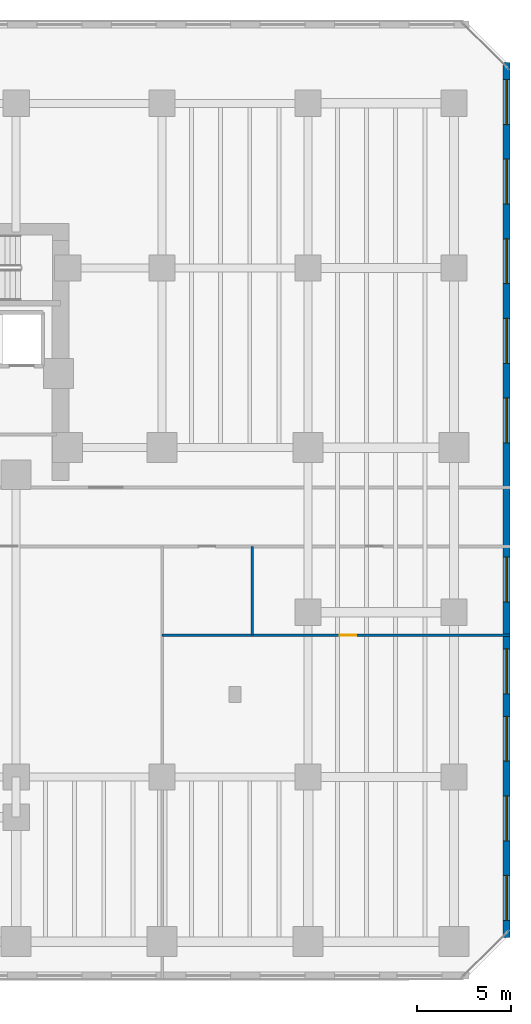
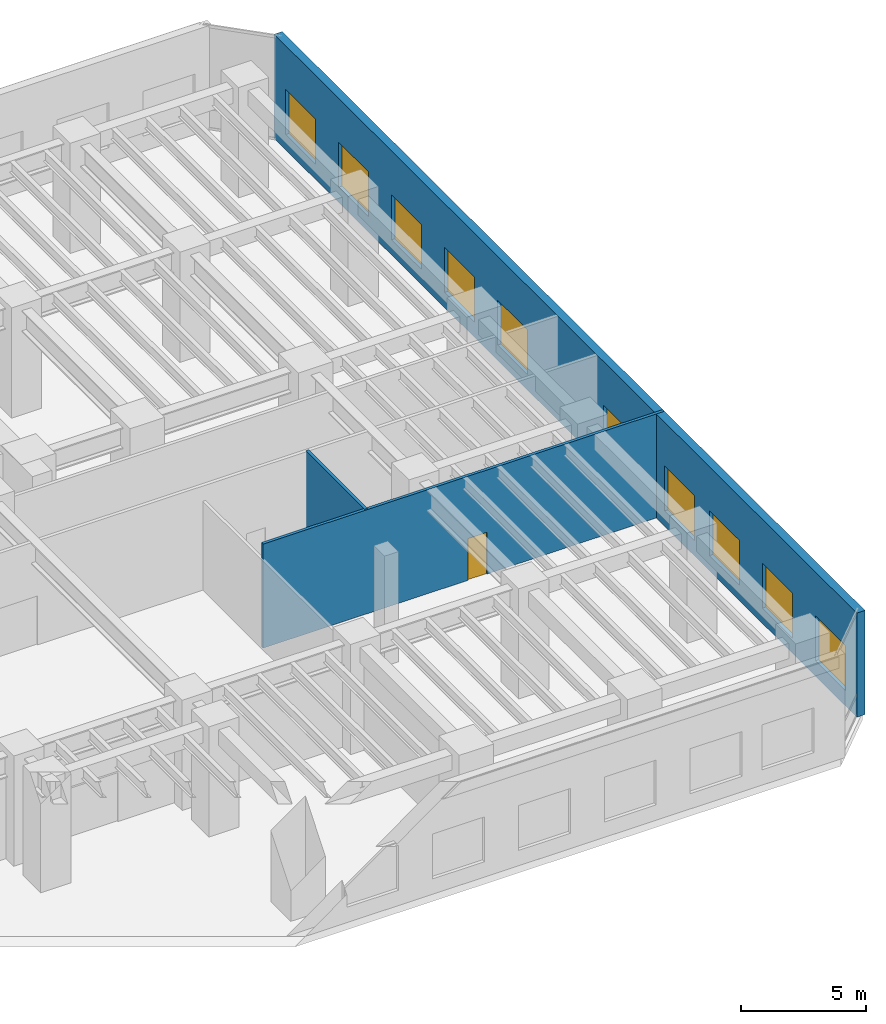
# One storey, part 16 of 21: 10 windows, 3 walls, 1 door, 11 openings.
"""IFC4 building model written with IfcOpenShell, lengths in metres."""

from ifc_helpers import new_model, si_unit, direction, frame, frame_2d, origin, place, context, subcontext, project, spatial, rectangle, extrude, material, layer, layer_set, type_object, element, fill, save


model = new_model("IFC4")

# Units and contexts
model_context = context("Model", 3, precision=1e-05, world=origin(), true_north=direction((0.0, 1.0)))
body_context = subcontext(model_context, "Body", "Model", "MODEL_VIEW")
ifc_project = project(units=[si_unit("LENGTHUNIT", "METRE"), si_unit("AREAUNIT", "SQUARE_METRE"), si_unit("VOLUMEUNIT", "CUBIC_METRE"), si_unit("PLANEANGLEUNIT", "RADIAN"), si_unit("MASSUNIT", "GRAM", prefix="KILO")], contexts=[model_context])

# Site, building, storey
site_placement = place(None, origin())
site = spatial("IfcSite", under=ifc_project, at=site_placement, CompositionType="ELEMENT")
building_placement = place(site_placement, origin())
building = spatial("IfcBuilding", under=site, at=building_placement, Name="Kestravale Grand Hotel", CompositionType="ELEMENT")
storey_placement = place(building_placement, frame((0.0, 0.0, 10.39990234375)))
storey = spatial("IfcBuildingStorey", under=building, at=storey_placement, Name="L02", CompositionType="ELEMENT", Elevation=10.39990234375)

# Wall, openings, windows
ifc_material_1 = material(Name="Precast concrete f'c 45 MPa", Category="concrete")
ifc_layer_1 = layer(ifc_material_1, 0.3798828125)
ifc_layer_set_1 = layer_set([ifc_layer_1], Name="EW-POD-380")
wall_type_1 = type_object("IfcWallType", Name="EW-POD-380", PredefinedType="SOLIDWALL", material=ifc_layer_set_1)
wall_1_placement = place(storey_placement, frame((80.81005859375, 2.610107421875, 0.0), z_axis=(0.0, 0.0, 1.0), x_axis=(0.0, 1.0, 0.0)))
wall_1 = element("IfcWall", 1, at=wall_1_placement, inside=storey, type_object=wall_type_1, Name="L02 fluted precast facade wall 3", PredefinedType="SOLIDWALL", context=body_context, shape_type="SweptSolid", body=[
    extrude(rectangle(XDim=46.77978515625, YDim=0.3798828125, at=frame_2d((23.389892578125, 0.0))), origin(), (0.0, 0.0, 1.0), 5.10009765625),
])
opening_1_placement = place(wall_1_placement, frame((0.926513671875, 0.0, 0.75)))
opening_1 = element("IfcOpeningElement", 2, at=opening_1_placement, cuts=wall_1, Name="Opening W-POD-2400", PredefinedType="OPENING", context=body_context, shape_type="SweptSolid", body=[
    extrude(rectangle(XDim=2.39990234375, YDim=2.199951171875, at=frame_2d((1.199951171875, 1.10009765625))), frame((0.0, 0.199951171875, 0.0), z_axis=(0.0, -1.0, 0.0), x_axis=(1.0, 0.0, 0.0)), (0.0, 0.0, 1.0), 0.39990234375),
])
opening_2_placement = place(wall_1_placement, frame((5.17919921875, 0.0, 0.75)))
opening_2 = element("IfcOpeningElement", 3, at=opening_2_placement, cuts=wall_1, Name="Opening W-POD-2400", PredefinedType="OPENING", context=body_context, shape_type="SweptSolid", body=[
    extrude(rectangle(XDim=2.39990234375, YDim=2.199951171875, at=frame_2d((1.199951171875, 1.10009765625))), frame((0.0, 0.199951171875, 0.0), z_axis=(0.0, -1.0, 0.0), x_axis=(1.0, 0.0, 0.0)), (0.0, 0.0, 1.0), 0.39990234375),
])
opening_3_placement = place(wall_1_placement, frame((9.431884765625, 0.0, 0.75)))
opening_3 = element("IfcOpeningElement", 4, at=opening_3_placement, cuts=wall_1, Name="Opening W-POD-2400", PredefinedType="OPENING", context=body_context, shape_type="SweptSolid", body=[
    extrude(rectangle(XDim=2.39990234375, YDim=2.199951171875, at=frame_2d((1.199951171875, 1.10009765625))), frame((0.0, 0.199951171875, 0.0), z_axis=(0.0, -1.0, 0.0), x_axis=(1.0, 0.0, 0.0)), (0.0, 0.0, 1.0), 0.39990234375),
])
opening_4_placement = place(wall_1_placement, frame((13.034423828125, 0.0, 0.75)))
opening_4 = element("IfcOpeningElement", 5, at=opening_4_placement, cuts=wall_1, Name="Opening W-POD-2400", PredefinedType="OPENING", context=body_context, shape_type="SweptSolid", body=[
    extrude(rectangle(XDim=2.39990234375, YDim=2.199951171875, at=frame_2d((1.199951171875, 1.10009765625))), frame((0.0, 0.199951171875, 0.0), z_axis=(0.0, -1.0, 0.0), x_axis=(1.0, 0.0, 0.0)), (0.0, 0.0, 1.0), 0.39990234375),
])
opening_5_placement = place(wall_1_placement, frame((17.937255859375, 0.0, 0.75)))
opening_5 = element("IfcOpeningElement", 6, at=opening_5_placement, cuts=wall_1, Name="Opening W-POD-2400", PredefinedType="OPENING", context=body_context, shape_type="SweptSolid", body=[
    extrude(rectangle(XDim=2.39990234375, YDim=2.199951171875, at=frame_2d((1.199951171875, 1.10009765625))), frame((0.0, 0.199951171875, 0.0), z_axis=(0.0, -1.0, 0.0), x_axis=(1.0, 0.0, 0.0)), (0.0, 0.0, 1.0), 0.39990234375),
])
opening_6_placement = place(wall_1_placement, frame((26.442626953125, 0.0, 0.75)))
opening_6 = element("IfcOpeningElement", 7, at=opening_6_placement, cuts=wall_1, Name="Opening W-POD-2400", PredefinedType="OPENING", context=body_context, shape_type="SweptSolid", body=[
    extrude(rectangle(XDim=2.39990234375, YDim=2.199951171875, at=frame_2d((1.199951171875, 1.10009765625))), frame((0.0, 0.199951171875, 0.0), z_axis=(0.0, -1.0, 0.0), x_axis=(1.0, 0.0, 0.0)), (0.0, 0.0, 1.0), 0.39990234375),
])
opening_7_placement = place(wall_1_placement, frame((30.695556640625, 0.0, 0.75)))
opening_7 = element("IfcOpeningElement", 8, at=opening_7_placement, cuts=wall_1, Name="Opening W-POD-2400", PredefinedType="OPENING", context=body_context, shape_type="SweptSolid", body=[
    extrude(rectangle(XDim=2.39990234375, YDim=2.199951171875, at=frame_2d((1.199951171875, 1.10009765625))), frame((0.0, 0.199951171875, 0.0), z_axis=(0.0, -1.0, 0.0), x_axis=(1.0, 0.0, 0.0)), (0.0, 0.0, 1.0), 0.39990234375),
])
opening_8_placement = place(wall_1_placement, frame((34.9482421875, 0.0, 0.75)))
opening_8 = element("IfcOpeningElement", 9, at=opening_8_placement, cuts=wall_1, Name="Opening W-POD-2400", PredefinedType="OPENING", context=body_context, shape_type="SweptSolid", body=[
    extrude(rectangle(XDim=2.39990234375, YDim=2.199951171875, at=frame_2d((1.199951171875, 1.10009765625))), frame((0.0, 0.199951171875, 0.0), z_axis=(0.0, -1.0, 0.0), x_axis=(1.0, 0.0, 0.0)), (0.0, 0.0, 1.0), 0.39990234375),
])
opening_9_placement = place(wall_1_placement, frame((39.200927734375, 0.0, 0.75)))
opening_9 = element("IfcOpeningElement", 10, at=opening_9_placement, cuts=wall_1, Name="Opening W-POD-2400", PredefinedType="OPENING", context=body_context, shape_type="SweptSolid", body=[
    extrude(rectangle(XDim=2.39990234375, YDim=2.199951171875, at=frame_2d((1.199951171875, 1.10009765625))), frame((0.0, 0.199951171875, 0.0), z_axis=(0.0, -1.0, 0.0), x_axis=(1.0, 0.0, 0.0)), (0.0, 0.0, 1.0), 0.39990234375),
])
opening_10_placement = place(wall_1_placement, frame((43.45361328125, 0.0, 0.75)))
opening_10 = element("IfcOpeningElement", 11, at=opening_10_placement, cuts=wall_1, Name="Opening W-POD-2400", PredefinedType="OPENING", context=body_context, shape_type="SweptSolid", body=[
    extrude(rectangle(XDim=2.39990234375, YDim=2.199951171875, at=frame_2d((1.199951171875, 1.10009765625))), frame((0.0, 0.199951171875, 0.0), z_axis=(0.0, -1.0, 0.0), x_axis=(1.0, 0.0, 0.0)), (0.0, 0.0, 1.0), 0.39990234375),
])
ifc_material_2 = material(Name="Insulated low-E double glazing in aluminium frame", Category="aluminium")
window_type = type_object("IfcWindowType", Name="W-POD-2400", PartitioningType="DOUBLE_PANEL_VERTICAL", PredefinedType="WINDOW", material=ifc_material_2)
window_1_placement = place(opening_1_placement, origin())
window_1 = element("IfcWindow", 12, at=window_1_placement, inside=storey, type_object=window_type, Name="L02 exterior window 3.1", OverallHeight=2.199951171875, OverallWidth=2.39990234375, PartitioningType="SINGLE_PANEL", PredefinedType="WINDOW", context=body_context, shape_type="SweptSolid", body=[
    extrude(rectangle(XDim=2.39990234375, YDim=2.199951171875, at=frame_2d((1.199951171875, 1.10009765625))), frame((0.0, 0.030029296875, 0.0), z_axis=(0.0, -1.0, 0.0), x_axis=(1.0, 0.0, 0.0)), (0.0, 0.0, 1.0), 0.06005859375),
])
fill(opening_1, window_1)
window_2_placement = place(opening_2_placement, origin())
window_2 = element("IfcWindow", 13, at=window_2_placement, inside=storey, type_object=window_type, Name="L02 exterior window 3.2", OverallHeight=2.199951171875, OverallWidth=2.39990234375, PartitioningType="SINGLE_PANEL", PredefinedType="WINDOW", context=body_context, shape_type="SweptSolid", body=[
    extrude(rectangle(XDim=2.39990234375, YDim=2.199951171875, at=frame_2d((1.199951171875, 1.10009765625))), frame((0.0, 0.030029296875, 0.0), z_axis=(0.0, -1.0, 0.0), x_axis=(1.0, 0.0, 0.0)), (0.0, 0.0, 1.0), 0.06005859375),
])
fill(opening_2, window_2)
window_3_placement = place(opening_3_placement, origin())
window_3 = element("IfcWindow", 14, at=window_3_placement, inside=storey, type_object=window_type, Name="L02 exterior window 3.3", OverallHeight=2.199951171875, OverallWidth=2.39990234375, PartitioningType="SINGLE_PANEL", PredefinedType="WINDOW", context=body_context, shape_type="SweptSolid", body=[
    extrude(rectangle(XDim=2.39990234375, YDim=2.199951171875, at=frame_2d((1.199951171875, 1.10009765625))), frame((0.0, 0.030029296875, 0.0), z_axis=(0.0, -1.0, 0.0), x_axis=(1.0, 0.0, 0.0)), (0.0, 0.0, 1.0), 0.06005859375),
])
fill(opening_3, window_3)
window_4_placement = place(opening_4_placement, origin())
window_4 = element("IfcWindow", 15, at=window_4_placement, inside=storey, type_object=window_type, Name="L02 exterior window 3.4", OverallHeight=2.199951171875, OverallWidth=2.39990234375, PartitioningType="SINGLE_PANEL", PredefinedType="WINDOW", context=body_context, shape_type="SweptSolid", body=[
    extrude(rectangle(XDim=2.39990234375, YDim=2.199951171875, at=frame_2d((1.199951171875, 1.10009765625))), frame((0.0, 0.030029296875, 0.0), z_axis=(0.0, -1.0, 0.0), x_axis=(1.0, 0.0, 0.0)), (0.0, 0.0, 1.0), 0.06005859375),
])
fill(opening_4, window_4)
window_5_placement = place(opening_5_placement, origin())
window_5 = element("IfcWindow", 16, at=window_5_placement, inside=storey, type_object=window_type, Name="L02 exterior window 3.5", OverallHeight=2.199951171875, OverallWidth=2.39990234375, PartitioningType="SINGLE_PANEL", PredefinedType="WINDOW", context=body_context, shape_type="SweptSolid", body=[
    extrude(rectangle(XDim=2.39990234375, YDim=2.199951171875, at=frame_2d((1.199951171875, 1.10009765625))), frame((0.0, 0.030029296875, 0.0), z_axis=(0.0, -1.0, 0.0), x_axis=(1.0, 0.0, 0.0)), (0.0, 0.0, 1.0), 0.06005859375),
])
fill(opening_5, window_5)
window_6_placement = place(opening_6_placement, origin())
window_6 = element("IfcWindow", 17, at=window_6_placement, inside=storey, type_object=window_type, Name="L02 exterior window 3.6", OverallHeight=2.199951171875, OverallWidth=2.39990234375, PartitioningType="SINGLE_PANEL", PredefinedType="WINDOW", context=body_context, shape_type="SweptSolid", body=[
    extrude(rectangle(XDim=2.39990234375, YDim=2.199951171875, at=frame_2d((1.199951171875, 1.10009765625))), frame((0.0, 0.030029296875, 0.0), z_axis=(0.0, -1.0, 0.0), x_axis=(1.0, 0.0, 0.0)), (0.0, 0.0, 1.0), 0.06005859375),
])
fill(opening_6, window_6)
window_7_placement = place(opening_7_placement, origin())
window_7 = element("IfcWindow", 18, at=window_7_placement, inside=storey, type_object=window_type, Name="L02 exterior window 3.7", OverallHeight=2.199951171875, OverallWidth=2.39990234375, PartitioningType="SINGLE_PANEL", PredefinedType="WINDOW", context=body_context, shape_type="SweptSolid", body=[
    extrude(rectangle(XDim=2.39990234375, YDim=2.199951171875, at=frame_2d((1.199951171875, 1.10009765625))), frame((0.0, 0.030029296875, 0.0), z_axis=(0.0, -1.0, 0.0), x_axis=(1.0, 0.0, 0.0)), (0.0, 0.0, 1.0), 0.06005859375),
])
fill(opening_7, window_7)
window_8_placement = place(opening_8_placement, origin())
window_8 = element("IfcWindow", 19, at=window_8_placement, inside=storey, type_object=window_type, Name="L02 exterior window 3.8", OverallHeight=2.199951171875, OverallWidth=2.39990234375, PartitioningType="SINGLE_PANEL", PredefinedType="WINDOW", context=body_context, shape_type="SweptSolid", body=[
    extrude(rectangle(XDim=2.39990234375, YDim=2.199951171875, at=frame_2d((1.199951171875, 1.10009765625))), frame((0.0, 0.030029296875, 0.0), z_axis=(0.0, -1.0, 0.0), x_axis=(1.0, 0.0, 0.0)), (0.0, 0.0, 1.0), 0.06005859375),
])
fill(opening_8, window_8)
window_9_placement = place(opening_9_placement, origin())
window_9 = element("IfcWindow", 20, at=window_9_placement, inside=storey, type_object=window_type, Name="L02 exterior window 3.9", OverallHeight=2.199951171875, OverallWidth=2.39990234375, PartitioningType="SINGLE_PANEL", PredefinedType="WINDOW", context=body_context, shape_type="SweptSolid", body=[
    extrude(rectangle(XDim=2.39990234375, YDim=2.199951171875, at=frame_2d((1.199951171875, 1.10009765625))), frame((0.0, 0.030029296875, 0.0), z_axis=(0.0, -1.0, 0.0), x_axis=(1.0, 0.0, 0.0)), (0.0, 0.0, 1.0), 0.06005859375),
])
fill(opening_9, window_9)
window_10_placement = place(opening_10_placement, origin())
window_10 = element("IfcWindow", 21, at=window_10_placement, inside=storey, type_object=window_type, Name="L02 exterior window 3.10", OverallHeight=2.199951171875, OverallWidth=2.39990234375, PartitioningType="SINGLE_PANEL", PredefinedType="WINDOW", context=body_context, shape_type="SweptSolid", body=[
    extrude(rectangle(XDim=2.39990234375, YDim=2.199951171875, at=frame_2d((1.199951171875, 1.10009765625))), frame((0.0, 0.030029296875, 0.0), z_axis=(0.0, -1.0, 0.0), x_axis=(1.0, 0.0, 0.0)), (0.0, 0.0, 1.0), 0.06005859375),
])
fill(opening_10, window_10)

# Wall, opening, door
ifc_material_3 = material(Name="Moisture-resistant tile-backer plumbing chase wall", Category="other")
ifc_layer_2 = layer(ifc_material_3, 0.139892578125)
ifc_layer_set_2 = layer_set([ifc_layer_2], Name="IW-PLB-140")
wall_type_2 = type_object("IfcWallType", Name="IW-PLB-140", PredefinedType="PLUMBINGWALL", material=ifc_layer_set_2)
wall_2_placement = place(storey_placement, frame((62.39990234375, 18.780029296875, 0.0), z_axis=(0.0, 0.0, 1.0), x_axis=(1.0, 0.0, 0.0)))
wall_2 = element("IfcWall", 22, at=wall_2_placement, inside=storey, type_object=wall_type_2, Name="W-L02-WCH", PredefinedType="PLUMBINGWALL", context=body_context, shape_type="SweptSolid", body=[
    extrude(rectangle(XDim=18.580078125, YDim=0.139892578125, at=frame_2d((9.2900390625, 0.0))), origin(), (0.0, 0.0, 1.0), 5.10009765625),
])
opening_11_placement = place(wall_2_placement, frame((9.48876953125, 0.0, 0.0)))
opening_11 = element("IfcOpeningElement", 23, at=opening_11_placement, cuts=wall_2, Name="Opening D-BATH-880", PredefinedType="OPENING", context=body_context, shape_type="SweptSolid", body=[
    extrude(rectangle(XDim=0.8798828125, YDim=2.050048828125, at=frame_2d((0.43994140625, 1.02490234375))), frame((0.0, 0.079833984375, 0.0), z_axis=(0.0, -1.0, 0.0), x_axis=(1.0, 0.0, 0.0)), (0.0, 0.0, 1.0), 0.159912109375),
])
ifc_material_4 = material(Name="Moisture-sealed walnut en-suite bathroom door", Category="wood")
door_type = type_object("IfcDoorType", Name="D-BATH-880", OperationType="NOTDEFINED", PredefinedType="DOOR", material=ifc_material_4)
door_placement = place(opening_11_placement, origin())
door = element("IfcDoor", 24, at=door_placement, inside=storey, type_object=door_type, Name="D-L02-WCF", OperationType="SINGLE_SWING_LEFT", OverallHeight=2.050048828125, OverallWidth=0.8798828125, PredefinedType="DOOR", context=body_context, shape_type="SweptSolid", body=[
    extrude(rectangle(XDim=0.8798828125, YDim=2.050048828125, at=frame_2d((0.43994140625, 1.02490234375))), frame((0.0, 0.02490234375, 0.0), z_axis=(0.0, -1.0, 0.0), x_axis=(1.0, 0.0, 0.0)), (0.0, 0.0, 1.0), 0.050048828125),
])
fill(opening_11, door)

# Wall
wall_3_placement = place(storey_placement, frame((67.219970703125, 18.780029296875, 0.0), z_axis=(0.0, 0.0, 1.0), x_axis=(0.0, 1.0, 0.0)))
element("IfcWall", 25, at=wall_3_placement, inside=storey, type_object=wall_type_2, Name="W-L02-WCV", PredefinedType="PLUMBINGWALL", context=body_context, shape_type="SweptSolid", body=[
    extrude(rectangle(XDim=4.739990234375, YDim=0.139892578125, at=frame_2d((2.3701171875, 0.0))), origin(), (0.0, 0.0, 1.0), 5.10009765625),
])

save(model, "model.ifc")
